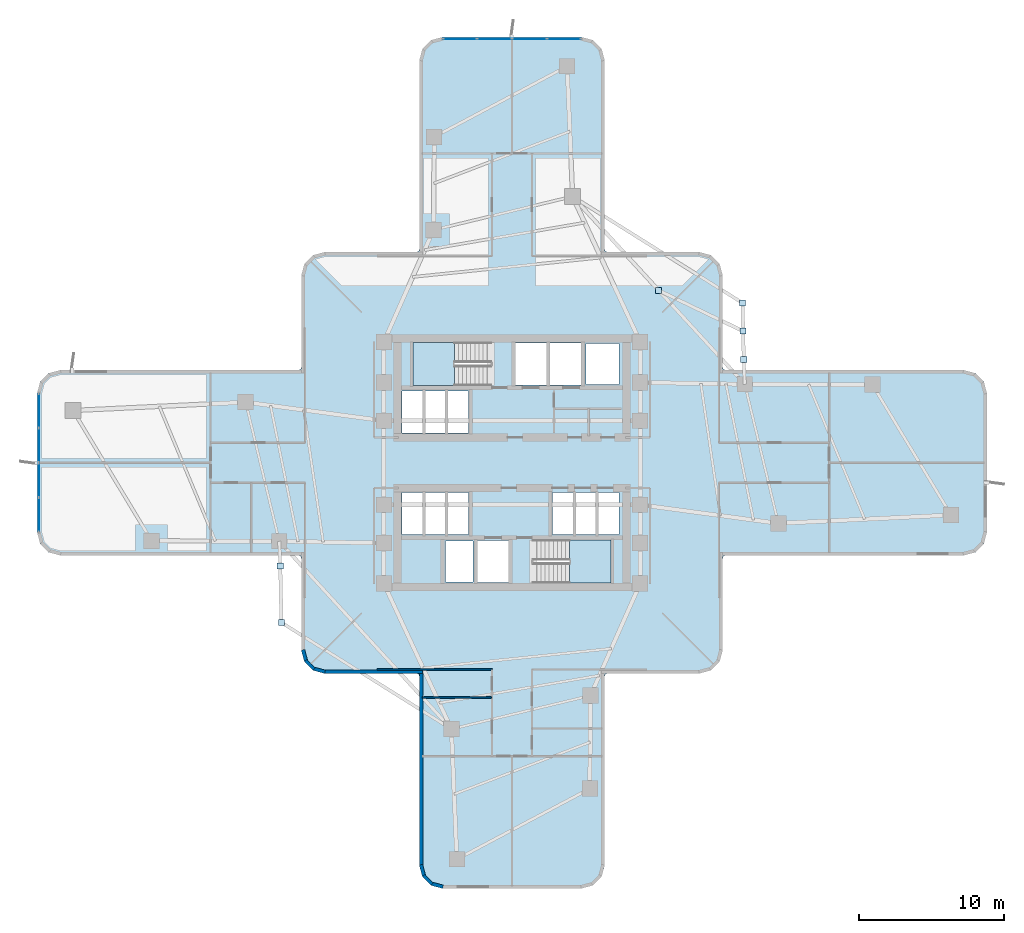
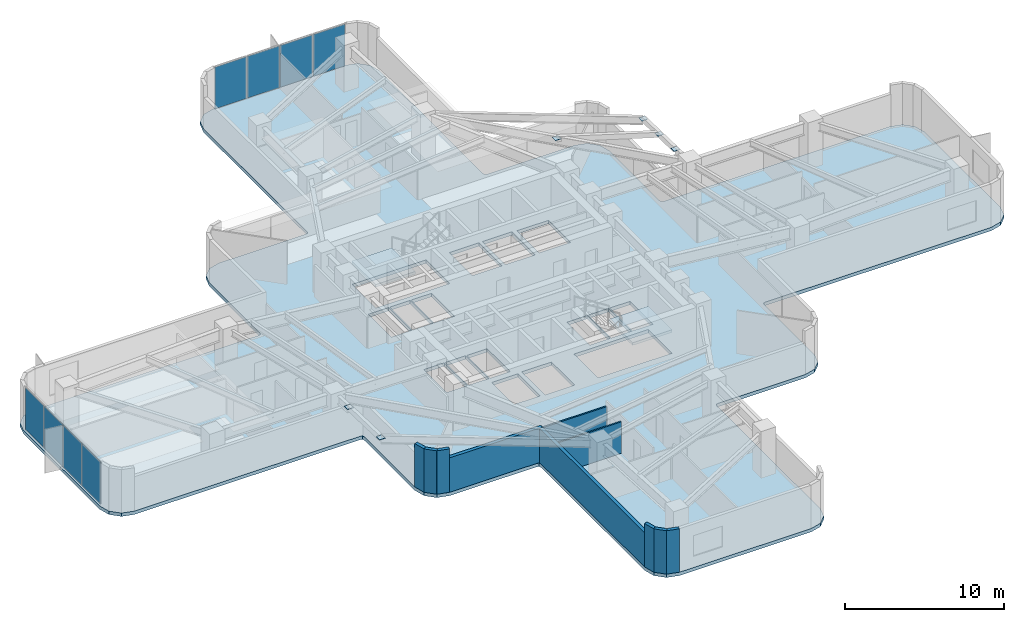
# One storey, part 7 of 14: 14 plates, 10 walls, 3 slabs, 4 elements without a shape of their own.
"""IFC4 building model written with IfcOpenShell, lengths in metres."""

from ifc_helpers import new_model, si_unit, direction, frame, frame_2d, origin, origin_2d, place, context, subcontext, project, spatial, polyline, rectangle, outline, extrude, material, layer, layer_set, type_object, element, aggregate, save


model = new_model("IFC4")

# Units and contexts
model_context = context("Model", 3, precision=1e-05, world=origin(), true_north=direction((0.0, 1.0)))
body_context = subcontext(model_context, "Body", "Model", "MODEL_VIEW")
ifc_project = project(units=[si_unit("LENGTHUNIT", "METRE"), si_unit("AREAUNIT", "SQUARE_METRE"), si_unit("VOLUMEUNIT", "CUBIC_METRE"), si_unit("PLANEANGLEUNIT", "RADIAN"), si_unit("MASSUNIT", "GRAM", prefix="KILO")], contexts=[model_context])

# Site, building, storey
site_placement = place(None, origin())
site = spatial("IfcSite", under=ifc_project, at=site_placement, CompositionType="ELEMENT")
building_placement = place(site_placement, origin())
building = spatial("IfcBuilding", under=site, at=building_placement, Name="Solmarez Civic Tower", CompositionType="ELEMENT")
storey_placement = place(building_placement, frame((0.0, 0.0, 31.679931640625)))
storey = spatial("IfcBuildingStorey", under=building, at=storey_placement, Name="L07", CompositionType="ELEMENT", Elevation=31.679931640625)

# Curtain wall, plates
ifc_material_1 = material(Name="Bronze Anodised Aluminium EN AW-6063 T6", Category="aluminium")
ifc_layer_1 = layer(ifc_material_1, 0.18505859375)
ifc_layer_set_1 = layer_set([ifc_layer_1], Name="Bronze Anodised Aluminium EN AW-6063 T6")
curtain_wall_type = type_object("IfcCurtainWallType", Name="CW-SYS-2", PredefinedType="NOTDEFINED", material=ifc_layer_set_1)
curtain_wall_1_placement = place(storey_placement, origin())
curtain_wall_1 = element("IfcCurtainWall", 1, at=curtain_wall_1_placement, inside=storey, type_object=curtain_wall_type, Name="L07 Stick-Built Curtain Wall 1", PredefinedType="NOTDEFINED")
ifc_material_2 = material(Name="Solar Control Low-E Laminated Vision Glass", Category="glass")
ifc_layer_2 = layer(ifc_material_2, 0.031982421875)
ifc_layer_set_2 = layer_set([ifc_layer_2], Name="Solar Control Low-E Laminated Vision Glass")
plate_type_1 = type_object("IfcPlateType", Name="CWP-GLAZ-32", PredefinedType="CURTAIN_PANEL", material=ifc_layer_set_2)
plate_1_placement = place(storey_placement, frame((-32.679931640625, -3.58935546875, 0.065185546875), z_axis=(0.0, 0.0, 1.0), x_axis=(0.0, 1.0, 0.0)))
plate_1 = element("IfcPlate", 2, at=plate_1_placement, type_object=plate_type_1, Name="CWS2 panel 1.1", PredefinedType="CURTAIN_PANEL", context=body_context, shape_type="SweptSolid", body=[
    extrude(rectangle(XDim=2.299560546875, YDim=0.031982421875, at=origin_2d()), origin(), (0.0, 0.0, 1.0), 3.2099609375),
])
plate_2_placement = place(storey_placement, frame((-32.679931640625, -1.2021484375, 0.065185546875), z_axis=(0.0, 0.0, 1.0), x_axis=(0.0, 1.0, 0.0)))
plate_2 = element("IfcPlate", 3, at=plate_2_placement, type_object=plate_type_1, Name="CWS2 panel 2.1", PredefinedType="CURTAIN_PANEL", context=body_context, shape_type="SweptSolid", body=[
    extrude(rectangle(XDim=2.33447265625, YDim=0.031982421875, at=origin_2d()), origin(), (0.0, 0.0, 1.0), 3.2099609375),
])
plate_3_placement = place(storey_placement, frame((-32.679931640625, 1.2021484375, 0.065185546875), z_axis=(0.0, 0.0, 1.0), x_axis=(0.0, 1.0, 0.0)))
plate_3 = element("IfcPlate", 4, at=plate_3_placement, type_object=plate_type_1, Name="CWS2 panel 3.1", PredefinedType="CURTAIN_PANEL", context=body_context, shape_type="SweptSolid", body=[
    extrude(rectangle(XDim=2.33447265625, YDim=0.031982421875, at=origin_2d()), origin(), (0.0, 0.0, 1.0), 3.2099609375),
])
plate_4_placement = place(storey_placement, frame((-32.679931640625, 3.58935546875, 0.065185546875), z_axis=(0.0, 0.0, 1.0), x_axis=(0.0, 1.0, 0.0)))
plate_4 = element("IfcPlate", 5, at=plate_4_placement, type_object=plate_type_1, Name="CWS2 panel 4.1", PredefinedType="CURTAIN_PANEL", context=body_context, shape_type="SweptSolid", body=[
    extrude(rectangle(XDim=2.299560546875, YDim=0.031982421875, at=origin_2d()), origin(), (0.0, 0.0, 1.0), 3.2099609375),
])
aggregate(curtain_wall_1, [plate_1, plate_2, plate_3, plate_4])

curtain_wall_2_placement = place(storey_placement, origin())
curtain_wall_2 = element("IfcCurtainWall", 6, at=curtain_wall_2_placement, inside=storey, type_object=curtain_wall_type, Name="L07 Stick-Built Curtain Wall 2", PredefinedType="NOTDEFINED")
plate_5_placement = place(storey_placement, frame((-3.58935546875, 29.280029296875, 0.065185546875), z_axis=(0.0, 0.0, 1.0), x_axis=(1.0, 0.0, 0.0)))
plate_5 = element("IfcPlate", 7, at=plate_5_placement, type_object=plate_type_1, Name="CWS2 panel 1.1", PredefinedType="CURTAIN_PANEL", context=body_context, shape_type="SweptSolid", body=[
    extrude(rectangle(XDim=2.299560546875, YDim=0.031982421875, at=origin_2d()), origin(), (0.0, 0.0, 1.0), 3.2099609375),
])
plate_6_placement = place(storey_placement, frame((-1.2021484375, 29.280029296875, 0.065185546875), z_axis=(0.0, 0.0, 1.0), x_axis=(1.0, 0.0, 0.0)))
plate_6 = element("IfcPlate", 8, at=plate_6_placement, type_object=plate_type_1, Name="CWS2 panel 2.1", PredefinedType="CURTAIN_PANEL", context=body_context, shape_type="SweptSolid", body=[
    extrude(rectangle(XDim=2.33447265625, YDim=0.031982421875, at=origin_2d()), origin(), (0.0, 0.0, 1.0), 3.2099609375),
])
plate_7_placement = place(storey_placement, frame((1.2021484375, 29.280029296875, 0.065185546875), z_axis=(0.0, 0.0, 1.0), x_axis=(1.0, 0.0, 0.0)))
plate_7 = element("IfcPlate", 9, at=plate_7_placement, type_object=plate_type_1, Name="CWS2 panel 3.1", PredefinedType="CURTAIN_PANEL", context=body_context, shape_type="SweptSolid", body=[
    extrude(rectangle(XDim=2.33447265625, YDim=0.031982421875, at=origin_2d()), origin(), (0.0, 0.0, 1.0), 3.2099609375),
])
plate_8_placement = place(storey_placement, frame((3.58935546875, 29.280029296875, 0.065185546875), z_axis=(0.0, 0.0, 1.0), x_axis=(1.0, 0.0, 0.0)))
plate_8 = element("IfcPlate", 10, at=plate_8_placement, type_object=plate_type_1, Name="CWS2 panel 4.1", PredefinedType="CURTAIN_PANEL", context=body_context, shape_type="SweptSolid", body=[
    extrude(rectangle(XDim=2.299560546875, YDim=0.031982421875, at=origin_2d()), origin(), (0.0, 0.0, 1.0), 3.2099609375),
])
aggregate(curtain_wall_2, [plate_5, plate_6, plate_7, plate_8])

# Plates
ifc_material_3 = material(Name="Steel S355", Category="steel")
ifc_layer_3 = layer(ifc_material_3, 0.02392578125)
ifc_layer_set_3 = layer_set([ifc_layer_3], Name="Steel S355")
plate_type_2 = type_object("IfcPlateType", Name="PLT-CAP-380", PredefinedType="USERDEFINED", material=ifc_layer_set_3)
for number, where, z_axis, x_axis, name in (
    (11, (16.00390625, 7.136962890625, 3.128173828125), (0.0, 0.0, 1.0), (1.0, 0.0, 0.0), "Steel Member End Cap Plate CAP-BM-L07-BALC-NEE-0"),
    (12, (15.922119140625, 11.035888671875, 3.128173828125), (0.0, 0.0, 1.0), (1.0, 0.0, 0.0), "Steel Member End Cap Plate CAP-BM-L07-BALC-NEE-1"),
    (13, (10.1298828125, 11.906005859375, 3.128173828125), (0.0, 0.0, 1.0), (1.0, 0.0, 0.0), "Steel Member End Cap Plate CAP-BM-L07-BALC-NEM-0"),
    (14, (15.962890625, 9.0859375, 3.128173828125), (0.0, 0.0, 1.0), (1.0, 0.0, 0.0), "Steel Member End Cap Plate CAP-BM-L07-BALC-NEM-1"),
    (15, (-16.00390625, -7.136962890625, 3.128173828125), (0.0, 0.0, 1.0), (1.0, 0.0, 0.0), "Steel Member End Cap Plate CAP-BM-L07-BALC-SWE-0"),
    (16, (-15.922119140625, -11.035888671875, 3.128173828125), (0.0, 0.0, 1.0), (1.0, 0.0, 0.0), "Steel Member End Cap Plate CAP-BM-L07-BALC-SWE-1"),
):
    element("IfcPlate", number, at=place(storey_placement, frame(where, z_axis=z_axis, x_axis=x_axis)), inside=storey, type_object=plate_type_2, Name=name, ObjectType="CAP_PLATE", PredefinedType="USERDEFINED", context=body_context, shape_type="SweptSolid", body=[
        extrude(rectangle(XDim=0.419921875, YDim=0.419921875, at=origin_2d()), origin(), (0.0, 0.0, 1.0), 0.02392578125),
    ])

# Stair, slab
ifc_material_4 = material(Name="Concrete C50/60", Category="concrete")
stair_type = type_object("IfcStairType", Name="STAIR-DOGLEG-140W-20R-1800", PredefinedType="HALF_TURN_STAIR", material=ifc_material_4)
stair_1_placement = place(storey_placement, origin())
stair_1 = element("IfcStair", 17, at=stair_1_placement, inside=storey, type_object=stair_type, Name="L07 North Core Protected Exit Stair ST-1", PredefinedType="HALF_TURN_STAIR")
ifc_layer_4 = layer(ifc_material_4, 0.199951171875)
ifc_layer_set_4 = layer_set([ifc_layer_4], Name="Concrete C50/60")
slab_type_1 = type_object("IfcSlabType", Name="SLAB-LANDING-200", PredefinedType="LANDING", material=ifc_layer_set_4)
slab_1_placement = place(storey_placement, frame((0.0, 0.0, 1.60009765625)))
slab_1 = element("IfcSlab", 18, at=slab_1_placement, type_object=slab_type_1, Name="ST-1 landing 1", PredefinedType="LANDING", context=body_context, shape_type="SweptSolid", body=[
    extrude(outline(polyline([(-3.969970703125, 8.320068359375), (-6.85009765625, 8.320068359375), (-6.85009765625, 5.320068359375), (-3.969970703125, 5.320068359375), (-3.969970703125, 8.320068359375)])), origin(), (0.0, 0.0, 1.0), 0.199951171875),
])
aggregate(stair_1, [slab_1])

stair_2_placement = place(storey_placement, origin())
stair_2 = element("IfcStair", 19, at=stair_2_placement, inside=storey, type_object=stair_type, Name="L07 South Core Protected Exit Stair ST-2", PredefinedType="HALF_TURN_STAIR")
slab_2_placement = place(storey_placement, frame((0.0, 0.0, 1.60009765625)))
slab_2 = element("IfcSlab", 20, at=slab_2_placement, type_object=slab_type_1, Name="ST-2 landing 1", PredefinedType="LANDING", context=body_context, shape_type="SweptSolid", body=[
    extrude(outline(polyline([(3.969970703125, -8.320068359375), (6.85009765625, -8.320068359375), (6.85009765625, -5.320068359375), (3.969970703125, -5.320068359375), (3.969970703125, -8.320068359375)])), origin(), (0.0, 0.0, 1.0), 0.199951171875),
])
aggregate(stair_2, [slab_2])

# Slab
ifc_layer_5 = layer(ifc_material_4, 0.260009765625)
ifc_layer_set_5 = layer_set([ifc_layer_5], Name="Concrete C50/60")
slab_type_2 = type_object("IfcSlabType", Name="SLAB-TOWER-260", PredefinedType="FLOOR", material=ifc_layer_set_5)
slab_3_placement = place(storey_placement, frame((0.0, 0.0, -0.260009765625)))
element("IfcSlab", 21, at=slab_3_placement, inside=storey, type_object=slab_type_2, Name="L07 Structural Slab", PredefinedType="FLOOR", context=body_context, shape_type="SweptSolid", body=[
    extrude(outline(polyline([(-14.550048828125, -6.611083984375), (-14.550048828125, -12.949951171875), (-14.3359375, -13.75), (-13.75, -14.3359375), (-12.949951171875, -14.550048828125), (-6.611083984375, -14.550048828125), (-6.445068359375, -14.594970703125), (-6.39990234375, -14.760986328125), (-6.39990234375, -27.800048828125), (-6.18603515625, -28.60009765625), (-5.60009765625, -29.18603515625), (-4.800048828125, -29.39990234375), (4.800048828125, -29.39990234375), (5.60009765625, -29.18603515625), (6.18603515625, -28.60009765625), (6.39990234375, -27.800048828125), (6.39990234375, -14.760986328125), (6.445068359375, -14.594970703125), (6.611083984375, -14.550048828125), (12.949951171875, -14.550048828125), (13.75, -14.3359375), (14.3359375, -13.75), (14.550048828125, -12.949951171875), (14.550048828125, -6.611083984375), (14.594970703125, -6.445068359375), (14.760986328125, -6.39990234375), (31.199951171875, -6.39990234375), (32.0, -6.18603515625), (32.5859375, -5.60009765625), (32.800048828125, -4.800048828125), (32.800048828125, 4.800048828125), (32.5859375, 5.60009765625), (32.0, 6.18603515625), (31.199951171875, 6.39990234375), (14.760986328125, 6.39990234375), (14.594970703125, 6.445068359375), (14.550048828125, 6.611083984375), (14.550048828125, 12.949951171875), (14.3359375, 13.75), (13.75, 14.3359375), (12.949951171875, 14.550048828125), (6.611083984375, 14.550048828125), (6.445068359375, 14.594970703125), (6.39990234375, 14.760986328125), (6.39990234375, 27.800048828125), (6.18603515625, 28.60009765625), (5.60009765625, 29.18603515625), (4.800048828125, 29.39990234375), (-4.800048828125, 29.39990234375), (-5.60009765625, 29.18603515625), (-6.18603515625, 28.60009765625), (-6.39990234375, 27.800048828125), (-6.39990234375, 14.760986328125), (-6.445068359375, 14.594970703125), (-6.611083984375, 14.550048828125), (-12.949951171875, 14.550048828125), (-13.75, 14.3359375), (-14.3359375, 13.75), (-14.550048828125, 12.949951171875), (-14.550048828125, 6.611083984375), (-14.594970703125, 6.445068359375), (-14.760986328125, 6.39990234375), (-31.199951171875, 6.39990234375), (-32.0, 6.18603515625), (-32.5859375, 5.60009765625), (-32.800048828125, 4.800048828125), (-32.800048828125, -4.800048828125), (-32.5859375, -5.60009765625), (-32.0, -6.18603515625), (-31.199951171875, -6.39990234375), (-14.760986328125, -6.39990234375), (-14.594970703125, -6.445068359375), (-14.550048828125, -6.611083984375)]), holes=[polyline([(-1.449951171875, 8.320068359375), (-6.85009765625, 8.320068359375), (-6.85009765625, 5.320068359375), (-1.449951171875, 5.320068359375), (-1.449951171875, 8.320068359375)]), polyline([(1.449951171875, -8.320068359375), (6.85009765625, -8.320068359375), (6.85009765625, -5.320068359375), (1.449951171875, -5.320068359375), (1.449951171875, -8.320068359375)]), polyline([(0.219970703125, 5.360107421875), (2.3798828125, 5.360107421875), (2.3798828125, 8.280029296875), (0.219970703125, 8.280029296875), (0.219970703125, 5.360107421875)]), polyline([(2.6201171875, 5.360107421875), (4.780029296875, 5.360107421875), (4.780029296875, 8.280029296875), (2.6201171875, 8.280029296875), (2.6201171875, 5.360107421875)]), polyline([(-2.3798828125, -8.280029296875), (-0.219970703125, -8.280029296875), (-0.219970703125, -5.360107421875), (-2.3798828125, -5.360107421875), (-2.3798828125, -8.280029296875)]), polyline([(2.800048828125, -4.9599609375), (4.280029296875, -4.9599609375), (4.280029296875, -2.06005859375), (2.800048828125, -2.06005859375), (2.800048828125, -4.9599609375)]), polyline([(4.360107421875, -4.9599609375), (5.840087890625, -4.9599609375), (5.840087890625, -2.06005859375), (4.360107421875, -2.06005859375), (4.360107421875, -4.9599609375)]), polyline([(5.919921875, -4.9599609375), (7.39990234375, -4.9599609375), (7.39990234375, -2.06005859375), (5.919921875, -2.06005859375), (5.919921875, -4.9599609375)]), polyline([(-7.60009765625, -4.9599609375), (-6.1201171875, -4.9599609375), (-6.1201171875, -2.06005859375), (-7.60009765625, -2.06005859375), (-7.60009765625, -4.9599609375)]), polyline([(-6.0400390625, -4.9599609375), (-4.56005859375, -4.9599609375), (-4.56005859375, -2.06005859375), (-6.0400390625, -2.06005859375), (-6.0400390625, -4.9599609375)]), polyline([(-4.47998046875, -4.9599609375), (-3.0, -4.9599609375), (-3.0, -2.06005859375), (-4.47998046875, -2.06005859375), (-4.47998046875, -4.9599609375)]), polyline([(-7.60009765625, 2.06005859375), (-6.1201171875, 2.06005859375), (-6.1201171875, 4.9599609375), (-7.60009765625, 4.9599609375), (-7.60009765625, 2.06005859375)]), polyline([(-6.0400390625, 2.06005859375), (-4.56005859375, 2.06005859375), (-4.56005859375, 4.9599609375), (-6.0400390625, 4.9599609375), (-6.0400390625, 2.06005859375)]), polyline([(-4.47998046875, 2.06005859375), (-3.0, 2.06005859375), (-3.0, 4.9599609375), (-4.47998046875, 4.9599609375), (-4.47998046875, 2.06005859375)]), polyline([(5.10009765625, 5.419921875), (7.39990234375, 5.419921875), (7.39990234375, 8.219970703125), (5.10009765625, 8.219970703125), (5.10009765625, 5.419921875)]), polyline([(-4.60009765625, -8.219970703125), (-2.699951171875, -8.219970703125), (-2.699951171875, -5.419921875), (-4.60009765625, -5.419921875), (-4.60009765625, -8.219970703125)])]), origin(), (0.0, 0.0, 1.0), 0.260009765625),
])

# Walls
ifc_material_5 = material(Name="Precast concrete C40/50", Category="concrete")
ifc_layer_6 = layer(ifc_material_5, 0.239990234375)
ifc_layer_set_6 = layer_set([ifc_layer_6], Name="Precast concrete C40/50")
wall_type_1 = type_object("IfcWallType", Name="WALL-EXT-240", PredefinedType="SOLIDWALL", material=ifc_layer_set_6)
wall_1_placement = place(storey_placement, frame((-4.760009765625, -29.285888671875, 0.0), z_axis=(0.0, 0.0, 1.0), x_axis=(-0.966234939601, 0.25766265056, 0.0)))
element("IfcWall", 22, at=wall_1_placement, inside=storey, type_object=wall_type_1, Name="L07 Exterior Precast Wall 61", PredefinedType="SOLIDWALL", context=body_context, shape_type="SweptSolid", body=[
    extrude(rectangle(XDim=0.830078125, YDim=0.239990234375, at=frame_2d((0.4150390625, 0.0))), origin(), (0.0, 0.0, 1.0), 3.340087890625),
])
wall_2_placement = place(storey_placement, frame((-5.52001953125, -29.095947265625, 0.0), z_axis=(0.0, 0.0, 1.0), x_axis=(-0.707106781187, 0.707106781187, 0.0)))
element("IfcWall", 23, at=wall_2_placement, inside=storey, type_object=wall_type_1, Name="L07 Exterior Precast Wall 62", PredefinedType="SOLIDWALL", context=body_context, shape_type="SweptSolid", body=[
    extrude(rectangle(XDim=0.814453125, YDim=0.239990234375, at=frame_2d((0.4072265625, 0.0))), origin(), (0.0, 0.0, 1.0), 3.340087890625),
])
wall_3_placement = place(storey_placement, frame((-6.072021484375, -28.56201171875, 0.0), z_axis=(0.0, 0.0, 1.0), x_axis=(-0.25766265056, 0.966234939601, 0.0)))
element("IfcWall", 24, at=wall_3_placement, inside=storey, type_object=wall_type_1, Name="L07 Exterior Precast Wall 63", PredefinedType="SOLIDWALL", context=body_context, shape_type="SweptSolid", body=[
    extrude(rectangle(XDim=0.830078125, YDim=0.239990234375, at=frame_2d((0.4150390625, 0.0))), origin(), (0.0, 0.0, 1.0), 3.340087890625),
])
wall_4_placement = place(storey_placement, frame((-6.280029296875, -27.80908203125, 0.0), z_axis=(0.0, 0.0, 1.0), x_axis=(0.0, 1.0, 0.0)))
element("IfcWall", 25, at=wall_4_placement, inside=storey, type_object=wall_type_1, Name="L07 Exterior Precast Wall 64", PredefinedType="SOLIDWALL", context=body_context, shape_type="SweptSolid", body=[
    extrude(rectangle(XDim=13.47509765625, YDim=0.239990234375, at=frame_2d((6.737548828125, 0.0))), origin(), (0.0, 0.0, 1.0), 2.64404296875),
])
wall_5_placement = place(storey_placement, frame((-6.18408203125, -14.429931640625, 0.0), z_axis=(0.0, 0.0, 1.0), x_axis=(-1.0, 0.0, 0.0)))
element("IfcWall", 26, at=wall_5_placement, inside=storey, type_object=wall_type_1, Name="L07 Exterior Precast Wall 67", PredefinedType="SOLIDWALL", context=body_context, shape_type="SweptSolid", body=[
    extrude(rectangle(XDim=6.77490234375, YDim=0.239990234375, at=frame_2d((3.387451171875, 0.0))), origin(), (0.0, 0.0, 1.0), 2.64404296875),
])
wall_6_placement = place(storey_placement, frame((-12.909912109375, -14.43603515625, 0.0), z_axis=(0.0, 0.0, 1.0), x_axis=(-0.966161677396, 0.257937227116, 0.0)))
element("IfcWall", 27, at=wall_6_placement, inside=storey, type_object=wall_type_1, Name="L07 Exterior Precast Wall 68", PredefinedType="SOLIDWALL", context=body_context, shape_type="SweptSolid", body=[
    extrude(rectangle(XDim=0.830078125, YDim=0.239990234375, at=frame_2d((0.4150390625, 0.0))), origin(), (0.0, 0.0, 1.0), 3.340087890625),
])
wall_7_placement = place(storey_placement, frame((-13.669921875, -14.24609375, 0.0), z_axis=(0.0, 0.0, 1.0), x_axis=(-0.707106781187, 0.707106781187, 0.0)))
element("IfcWall", 28, at=wall_7_placement, inside=storey, type_object=wall_type_1, Name="L07 Exterior Precast Wall 69", PredefinedType="SOLIDWALL", context=body_context, shape_type="SweptSolid", body=[
    extrude(rectangle(XDim=0.81494140625, YDim=0.239990234375, at=frame_2d((0.407470703125, 0.0))), origin(), (0.0, 0.0, 1.0), 3.340087890625),
])
wall_8_placement = place(storey_placement, frame((-14.221923828125, -13.7119140625, 0.0), z_axis=(0.0, 0.0, 1.0), x_axis=(-0.257937227116, 0.966161677396, 0.0)))
element("IfcWall", 29, at=wall_8_placement, inside=storey, type_object=wall_type_1, Name="L07 Exterior Precast Wall 70", PredefinedType="SOLIDWALL", context=body_context, shape_type="SweptSolid", body=[
    extrude(rectangle(XDim=0.830078125, YDim=0.239990234375, at=frame_2d((0.4150390625, 0.0))), origin(), (0.0, 0.0, 1.0), 3.340087890625),
])
ifc_material_6 = material(Name="Gypsum Board Acoustic Steel-Stud Partition", Category="steel")
ifc_layer_7 = layer(ifc_material_6, 0.110107421875)
ifc_layer_set_7 = layer_set([ifc_layer_7], Name="Gypsum Board Acoustic Steel-Stud Partition")
wall_type_2 = type_object("IfcWallType", Name="WALL-INT-PART-110", PredefinedType="PARTITIONING", material=ifc_layer_set_7)
wall_9_placement = place(storey_placement, frame((-9.320068359375, -14.2900390625, 0.0), z_axis=(0.0, 0.0, 1.0), x_axis=(1.0, 0.0, 0.0)))
element("IfcWall", 30, at=wall_9_placement, inside=storey, type_object=wall_type_2, Name="L07 Interior Partition PT-L07-S-EFR", PredefinedType="PARTITIONING", context=body_context, shape_type="SweptSolid", body=[
    extrude(rectangle(XDim=7.949951171875, YDim=0.110107421875, at=frame_2d((3.97509765625, 0.0))), origin(), (0.0, 0.0, 1.0), 2.421142578125),
])
wall_10_placement = place(storey_placement, frame((-6.195068359375, -16.199951171875, 0.0), z_axis=(0.0, 0.0, 1.0), x_axis=(1.0, 0.0, 0.0)))
element("IfcWall", 31, at=wall_10_placement, inside=storey, type_object=wall_type_2, Name="L07 Interior Partition PT-L07-S-RM", PredefinedType="PARTITIONING", context=body_context, shape_type="SweptSolid", body=[
    extrude(rectangle(XDim=4.795166015625, YDim=0.110107421875, at=frame_2d((2.3974609375, 0.0))), origin(), (0.0, 0.0, 1.0), 2.421142578125),
])

save(model, "model.ifc")
